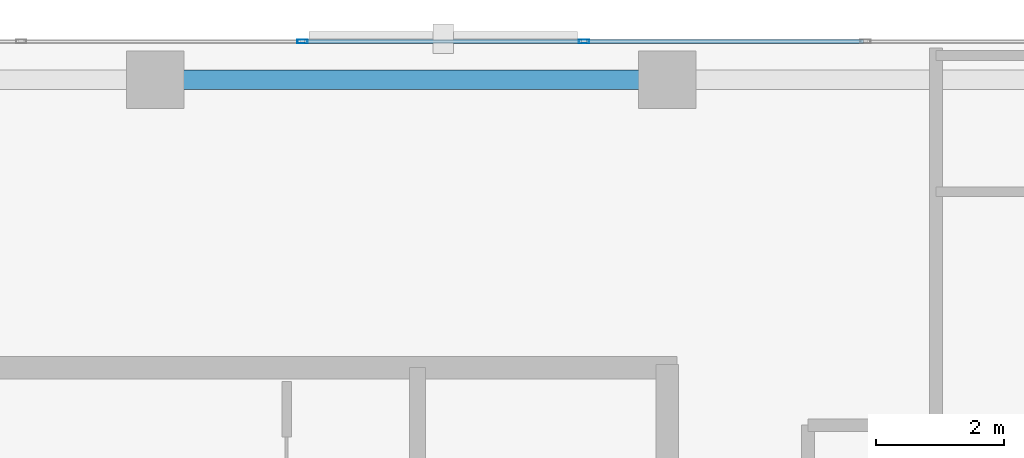
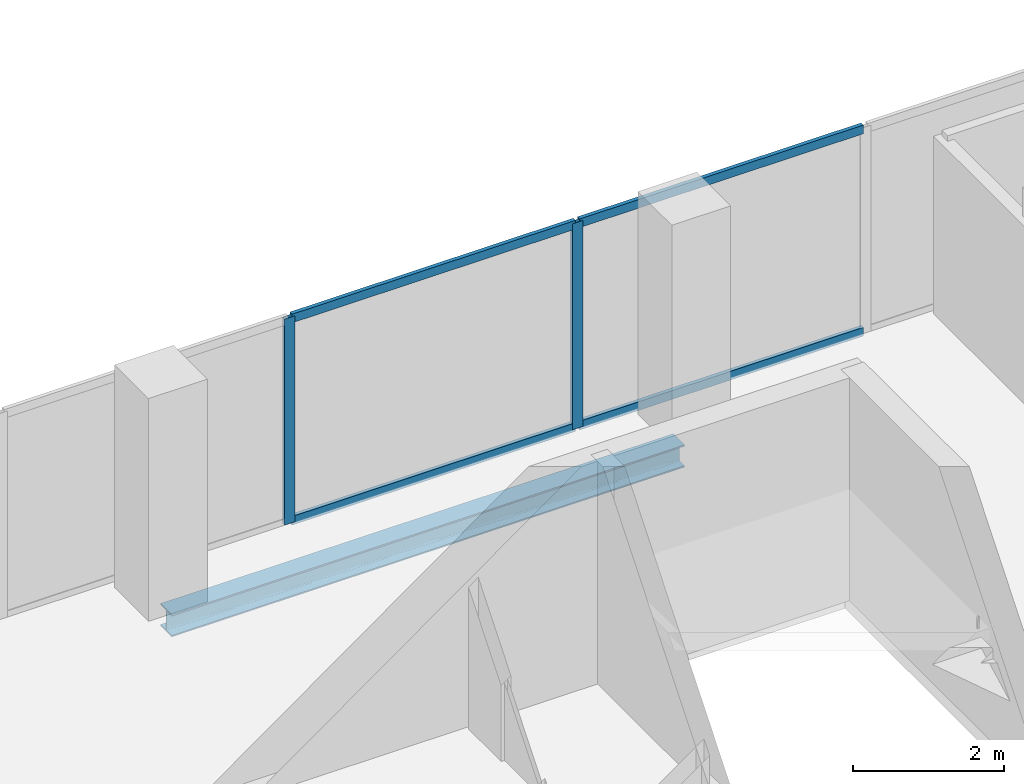
# One storey, part 24 of 34: 6 members, 1 beam, 1 element without a shape of its own.
"""IFC4 building model written with IfcOpenShell, lengths in metres."""

from ifc_helpers import new_model, si_unit, direction, frame, origin, origin_2d, place, context, subcontext, project, spatial, hollow_rectangle, i_section, extrude, material, layer, layer_set, material_profile, profile_set, type_object, element, aggregate, save


model = new_model("IFC4")

# Units and contexts
model_context = context("Model", 3, precision=1e-05, world=origin(), true_north=direction((0.0, 1.0)))
body_context = subcontext(model_context, "Body", "Model", "MODEL_VIEW")
ifc_project = project(units=[si_unit("LENGTHUNIT", "METRE"), si_unit("AREAUNIT", "SQUARE_METRE"), si_unit("VOLUMEUNIT", "CUBIC_METRE"), si_unit("PLANEANGLEUNIT", "RADIAN"), si_unit("MASSUNIT", "GRAM", prefix="KILO")], contexts=[model_context])

# Site, building, storey
site_placement = place(None, origin())
site = spatial("IfcSite", under=ifc_project, at=site_placement, CompositionType="ELEMENT")
building_placement = place(site_placement, origin())
building = spatial("IfcBuilding", under=site, at=building_placement, Name="Catumbela Crestline Tower", CompositionType="ELEMENT")
storey_placement = place(building_placement, frame((0.0, 0.0, 115.2)))
storey = spatial("IfcBuildingStorey", under=building, at=storey_placement, Name="L29", CompositionType="ELEMENT", Elevation=115.2)

# Curtain wall, members
ifc_material_1 = material(Name="Aluminium alloy AW-6060-T66", Category="aluminium")
ifc_layer = layer(ifc_material_1, 0.18, Name="Aluminium alloy AW-6060-T66")
ifc_layer_set = layer_set([ifc_layer], Name="Aluminium alloy AW-6060-T66")
curtain_wall_type = type_object("IfcCurtainWallType", Name="CWU-Z2", PredefinedType="USERDEFINED", material=ifc_layer_set)
curtain_wall_placement = place(storey_placement, origin())
curtain_wall = element("IfcCurtainWall", 1, at=curtain_wall_placement, inside=storey, type_object=curtain_wall_type, Name="L29 Unitised Curtain Wall CW-L29-E7S1", ObjectType="UNITISED", PredefinedType="USERDEFINED")
ifc_material_profile_1 = material_profile(ifc_material_1, hollow_rectangle(XDim=0.06, YDim=0.16, WallThickness=0.004, at=origin_2d()), Name="ALU 160x60x4")
ifc_profile_set_1 = profile_set([ifc_material_profile_1], Name="Aluminium alloy AW-6060-T66")
member_type_1 = type_object("IfcMemberType", Name="MUL-160X60", PredefinedType="MULLION", material=ifc_profile_set_1)
member_1_placement = place(storey_placement, frame((38.7, 48.0, 0.0), z_axis=(0.0, 0.0, 1.0), x_axis=(0.0, -1.0, 0.0)))
member_1 = element("IfcMember", 2, at=member_1_placement, type_object=member_type_1, Name="CWU-Z2 mullion 3", PredefinedType="MULLION", context=body_context, shape_type="SweptSolid", body=[
    extrude(hollow_rectangle(XDim=0.06, YDim=0.16, WallThickness=0.004, at=origin_2d()), origin(), (0.0, 0.0, 1.0), 3.33),
])
member_2_placement = place(storey_placement, frame((34.3, 48.0, 0.0), z_axis=(0.0, 0.0, 1.0), x_axis=(0.0, -1.0, 0.0)))
member_2 = element("IfcMember", 3, at=member_2_placement, type_object=member_type_1, Name="CWU-Z2 mullion 4", PredefinedType="MULLION", context=body_context, shape_type="SweptSolid", body=[
    extrude(hollow_rectangle(XDim=0.06, YDim=0.16, WallThickness=0.004, at=origin_2d()), origin(), (0.0, 0.0, 1.0), 3.33),
])

# Beam
ifc_material_2 = material(Name="Structural steel S355J2", Category="steel")
ifc_material_profile_2 = material_profile(ifc_material_2, i_section(OverallWidth=0.3, OverallDepth=0.36, WebThickness=0.0125, FlangeThickness=0.0225, FilletRadius=0.027, at=origin_2d()), Name="HEB 360")
ifc_profile_set_2 = profile_set([ifc_material_profile_2], Name="Structural steel S355J2")
beam_type = type_object("IfcBeamType", Name="BS-HEB360", PredefinedType="SPANDREL", material=ifc_profile_set_2)
beam_placement = place(storey_placement, frame((32.08, 47.4, -0.44), z_axis=(1.0, 0.0, 0.0), x_axis=(0.0, 1.0, 0.0)))
element("IfcBeam", 4, at=beam_placement, inside=storey, type_object=beam_type, Name="L29 Spandrel SP-L29-NF20", PredefinedType="SPANDREL", context=body_context, shape_type="SweptSolid", body=[
    extrude(i_section(OverallWidth=0.3, OverallDepth=0.36, WebThickness=0.0125, FlangeThickness=0.0225, FilletRadius=0.027, at=origin_2d()), origin(), (0.0, 0.0, 1.0), 7.84),
])

# Member
ifc_material_profile_3 = material_profile(ifc_material_1, hollow_rectangle(XDim=0.06, YDim=0.14, WallThickness=0.004, at=origin_2d()), Name="ALU 140x60x4")
ifc_profile_set_3 = profile_set([ifc_material_profile_3], Name="Aluminium alloy AW-6060-T66")
member_type_2 = type_object("IfcMemberType", Name="TRN-140X60", PredefinedType="USERDEFINED", material=ifc_profile_set_3)
member_3_placement = place(storey_placement, frame((43.0675, 48.0, 0.03), z_axis=(-1.0, 0.0, 0.0), x_axis=(0.0, -1.0, 0.0)))
member_3 = element("IfcMember", 5, at=member_3_placement, type_object=member_type_2, Name="CWU-Z2 transom 2.1", ObjectType="TRANSOM", PredefinedType="USERDEFINED", context=body_context, shape_type="SweptSolid", body=[
    extrude(hollow_rectangle(XDim=0.06, YDim=0.14, WallThickness=0.004, at=origin_2d()), origin(), (0.0, 0.0, 1.0), 4.335),
])

member_4_placement = place(storey_placement, frame((43.0675, 48.0, 3.3), z_axis=(-1.0, 0.0, 0.0), x_axis=(0.0, -1.0, 0.0)))
member_4 = element("IfcMember", 6, at=member_4_placement, type_object=member_type_2, Name="CWU-Z2 transom 2.2", ObjectType="TRANSOM", PredefinedType="USERDEFINED", context=body_context, shape_type="SweptSolid", body=[
    extrude(hollow_rectangle(XDim=0.06, YDim=0.14, WallThickness=0.004, at=origin_2d()), origin(), (0.0, 0.0, 1.0), 4.335),
])

member_5_placement = place(storey_placement, frame((38.6675, 48.0, 0.03), z_axis=(-1.0, 0.0, 0.0), x_axis=(0.0, -1.0, 0.0)))
member_5 = element("IfcMember", 7, at=member_5_placement, type_object=member_type_2, Name="CWU-Z2 transom 3.1", ObjectType="TRANSOM", PredefinedType="USERDEFINED", context=body_context, shape_type="SweptSolid", body=[
    extrude(hollow_rectangle(XDim=0.06, YDim=0.14, WallThickness=0.004, at=origin_2d()), origin(), (0.0, 0.0, 1.0), 4.335),
])

member_6_placement = place(storey_placement, frame((38.6675, 48.0, 3.3), z_axis=(-1.0, 0.0, 0.0), x_axis=(0.0, -1.0, 0.0)))
member_6 = element("IfcMember", 8, at=member_6_placement, type_object=member_type_2, Name="CWU-Z2 transom 3.2", ObjectType="TRANSOM", PredefinedType="USERDEFINED", context=body_context, shape_type="SweptSolid", body=[
    extrude(hollow_rectangle(XDim=0.06, YDim=0.14, WallThickness=0.004, at=origin_2d()), origin(), (0.0, 0.0, 1.0), 4.335),
])

aggregate(curtain_wall, [member_1, member_2, member_3, member_4, member_5, member_6])

save(model, "model.ifc")
